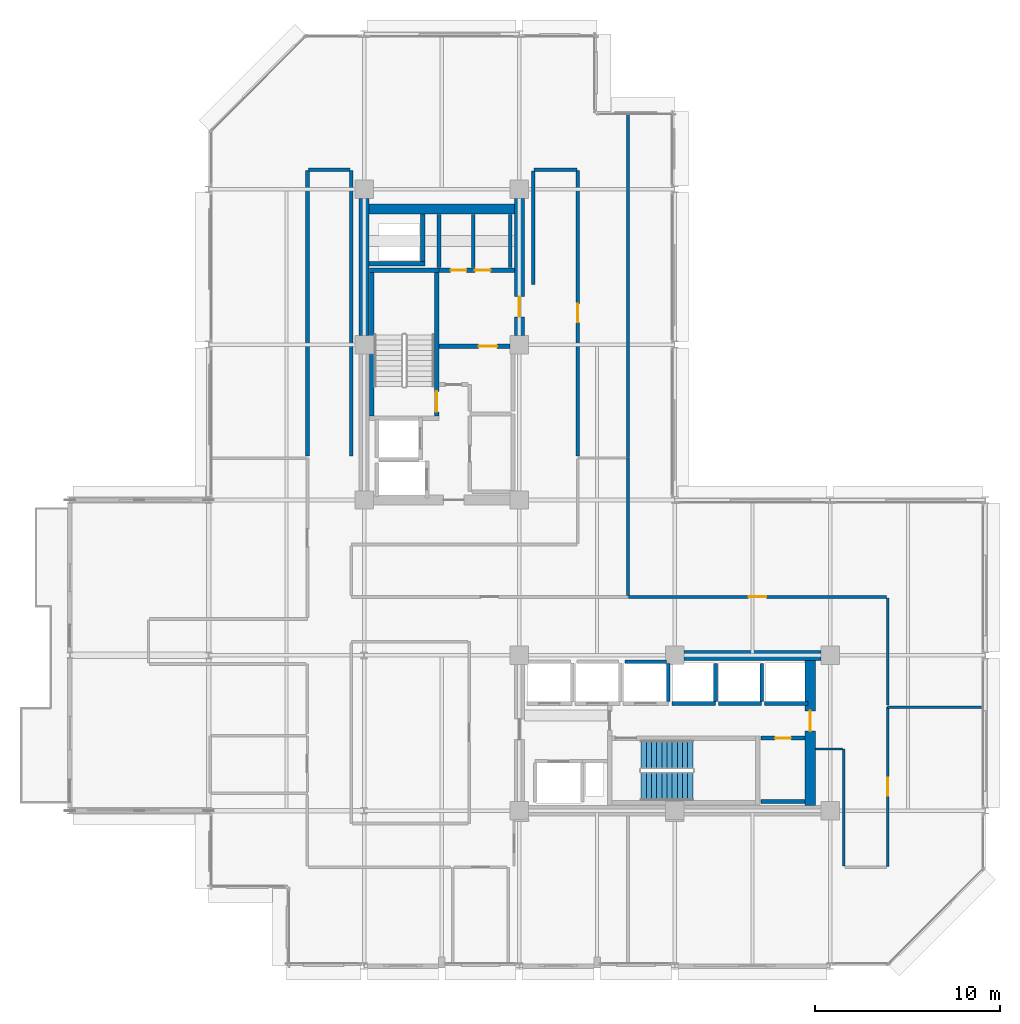
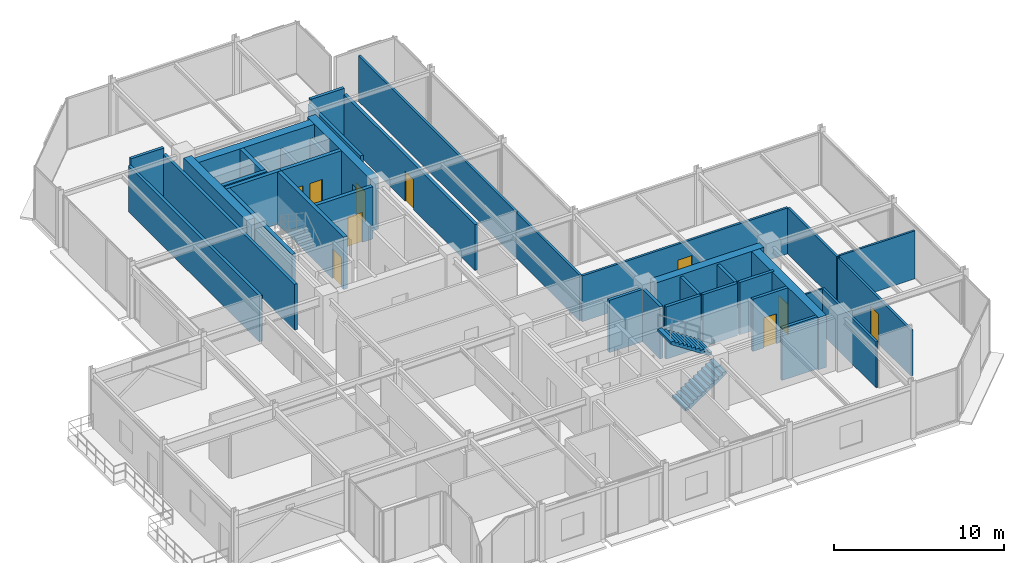
# One storey, part 26 of 30: 38 walls, 10 doors, 2 stair flights, 10 openings, 1 element without a shape of its own.
"""IFC4 building model written with IfcOpenShell, lengths in metres."""

from ifc_helpers import new_model, si_unit, direction, frame, frame_2d, origin, place, context, subcontext, project, spatial, polyline, rectangle, outline, extrude, material, layer, layer_set, type_object, element, fill, aggregate, save


model = new_model("IFC4")

# Units and contexts
model_context = context("Model", 3, precision=1e-05, world=origin(), true_north=direction((0.0, 1.0)))
body_context = subcontext(model_context, "Body", "Model", "MODEL_VIEW")
ifc_project = project(units=[si_unit("LENGTHUNIT", "METRE"), si_unit("AREAUNIT", "SQUARE_METRE"), si_unit("VOLUMEUNIT", "CUBIC_METRE"), si_unit("PLANEANGLEUNIT", "RADIAN"), si_unit("MASSUNIT", "GRAM", prefix="KILO")], contexts=[model_context])

# Site, building, storey
site_placement = place(None, origin())
site = spatial("IfcSite", under=ifc_project, at=site_placement, CompositionType="ELEMENT")
building_placement = place(site_placement, origin())
building = spatial("IfcBuilding", under=site, at=building_placement, Name="Nerrivon Quay Data Exchange", CompositionType="ELEMENT")
storey_placement = place(building_placement, frame((0.0, 0.0, 216.5)))
storey = spatial("IfcBuildingStorey", under=building, at=storey_placement, Name="L51", CompositionType="ELEMENT", Elevation=216.5)

# Walls
ifc_material_1 = material(Name="Concrete S65 (65 MPa)", Category="concrete")
ifc_layer_1 = layer(ifc_material_1, 0.550048828125)
ifc_layer_set_1 = layer_set([ifc_layer_1], Name="Concrete S65 (65 MPa)")
wall_type_1 = type_object("IfcWallType", Name="WALL-CW-700", PredefinedType="SHEAR", material=ifc_layer_set_1)
wall_1_placement = place(storey_placement, frame((8.39990234375, 34.10009765625, 0.0), z_axis=(0.0, 0.0, 1.0), x_axis=(0.0, 1.0, 0.0)))
element("IfcWall", 1, at=wall_1_placement, inside=storey, type_object=wall_type_1, Name="L51 West Split-Core Shear Wall WCW-W2", PredefinedType="SHEAR", context=body_context, shape_type="SweptSolid", body=[
    extrude(rectangle(XDim=7.39990234375, YDim=0.550048828125, at=frame_2d((3.699951171875, 0.0))), origin(), (0.0, 0.0, 1.0), 3.75),
])
wall_2_placement = place(storey_placement, frame((8.675048828125, 40.925048828125, 0.0), z_axis=(0.0, 0.0, 1.0), x_axis=(1.0, 0.0, 0.0)))
element("IfcWall", 2, at=wall_2_placement, inside=storey, type_object=wall_type_1, Name="L51 West Split-Core Shear Wall WCW-N1", PredefinedType="SHEAR", context=body_context, shape_type="SweptSolid", body=[
    extrude(rectangle(XDim=7.849853515625, YDim=0.550048828125, at=frame_2d((3.9248046875, 0.0))), origin(), (0.0, 0.0, 1.0), 3.75),
])

# Wall, opening, door
wall_3_placement = place(storey_placement, frame((16.800048828125, 34.10009765625, 0.0), z_axis=(0.0, 0.0, 1.0), x_axis=(0.0, 1.0, 0.0)))
wall_3 = element("IfcWall", 3, at=wall_3_placement, inside=storey, type_object=wall_type_1, Name="L51 West Split-Core Shear Wall WCW-E1", PredefinedType="SHEAR", context=body_context, shape_type="SweptSolid", body=[
    extrude(rectangle(XDim=7.39990234375, YDim=0.550048828125, at=frame_2d((3.699951171875, 0.0))), origin(), (0.0, 0.0, 1.0), 3.75),
])
opening_1_placement = place(wall_3_placement, frame((1.0, 0.0, 0.0)))
opening_1 = element("IfcOpeningElement", 4, at=opening_1_placement, cuts=wall_3, Name="Opening FD-120", PredefinedType="OPENING", context=body_context, shape_type="SweptSolid", body=[
    extrude(rectangle(XDim=1.10009765625, YDim=2.14990234375, at=frame_2d((0.550048828125, 1.074951171875))), frame((0.0, 0.284912109375, 0.0), z_axis=(0.0, -1.0, 0.0), x_axis=(1.0, 0.0, 0.0)), (0.0, 0.0, 1.0), 0.570068359375),
])
ifc_material_2 = material(Name="Powder-coated galvanized steel sheet", Category="steel")
door_type_1 = type_object("IfcDoorType", Name="DR-FD120-1100", OperationType="NOTDEFINED", PredefinedType="DOOR", material=ifc_material_2)
door_1_placement = place(opening_1_placement, origin())
door_1 = element("IfcDoor", 5, at=door_1_placement, inside=storey, type_object=door_type_1, Name="L51 West Core Lobby Fire Door", OperationType="SINGLE_SWING_LEFT", OverallHeight=2.14990234375, OverallWidth=1.10009765625, PredefinedType="DOOR", context=body_context, shape_type="SweptSolid", body=[
    extrude(rectangle(XDim=1.10009765625, YDim=2.14990234375, at=frame_2d((0.550048828125, 1.074951171875))), frame((0.0, 0.02490234375, 0.0), z_axis=(0.0, -1.0, 0.0), x_axis=(1.0, 0.0, 0.0)), (0.0, 0.0, 1.0), 0.050048828125),
])
fill(opening_1, door_1)

wall_4_placement = place(storey_placement, frame((32.52490234375, 8.675048828125, 0.0), z_axis=(0.0, 0.0, 1.0), x_axis=(0.0, 1.0, 0.0)))
wall_4 = element("IfcWall", 6, at=wall_4_placement, inside=storey, type_object=wall_type_1, Name="L51 East Split-Core Shear Wall ECW-E1", PredefinedType="SHEAR", context=body_context, shape_type="SweptSolid", body=[
    extrude(rectangle(XDim=7.849853515625, YDim=0.550048828125, at=frame_2d((3.9248046875, 0.0))), origin(), (0.0, 0.0, 1.0), 3.75),
])
opening_2_placement = place(wall_4_placement, frame((4.02490234375, 0.0, 0.0)))
opening_2 = element("IfcOpeningElement", 7, at=opening_2_placement, cuts=wall_4, Name="Opening FD-120", PredefinedType="OPENING", context=body_context, shape_type="SweptSolid", body=[
    extrude(rectangle(XDim=1.10009765625, YDim=2.14990234375, at=frame_2d((0.550048828125, 1.074951171875))), frame((0.0, 0.284912109375, 0.0), z_axis=(0.0, -1.0, 0.0), x_axis=(1.0, 0.0, 0.0)), (0.0, 0.0, 1.0), 0.570068359375),
])
door_2_placement = place(opening_2_placement, origin())
door_2 = element("IfcDoor", 8, at=door_2_placement, inside=storey, type_object=door_type_1, Name="L51 East Core Lobby Fire Door", OperationType="SINGLE_SWING_LEFT", OverallHeight=2.14990234375, OverallWidth=1.10009765625, PredefinedType="DOOR", context=body_context, shape_type="SweptSolid", body=[
    extrude(rectangle(XDim=1.10009765625, YDim=2.14990234375, at=frame_2d((0.550048828125, 1.074951171875))), frame((0.0, 0.02490234375, 0.0), z_axis=(0.0, -1.0, 0.0), x_axis=(1.0, 0.0, 0.0)), (0.0, 0.0, 1.0), 0.050048828125),
])
fill(opening_2, door_2)

# Walls
wall_5_placement = place(storey_placement, frame((25.699951171875, 16.800048828125, 0.0), z_axis=(0.0, 0.0, 1.0), x_axis=(1.0, 0.0, 0.0)))
element("IfcWall", 9, at=wall_5_placement, inside=storey, type_object=wall_type_1, Name="L51 East Split-Core Shear Wall ECW-N1", PredefinedType="SHEAR", context=body_context, shape_type="SweptSolid", body=[
    extrude(rectangle(XDim=7.400146484375, YDim=0.550048828125, at=frame_2d((3.7001953125, 0.0))), origin(), (0.0, 0.0, 1.0), 3.75),
])
ifc_material_3 = material(Name="Gypsum plasterboard on cold-formed framing", Category="gypsum")
ifc_layer_2 = layer(ifc_material_3, 0.199951171875)
ifc_layer_set_2 = layer_set([ifc_layer_2], Name="Gypsum plasterboard on cold-formed framing")
wall_type_2 = type_object("IfcWallType", Name="WALL-FW-200", PredefinedType="PARTITIONING", material=ifc_layer_set_2)
wall_6_placement = place(storey_placement, frame((24.85009765625, 14.300048828125, 0.0), z_axis=(0.0, 0.0, 1.0), x_axis=(0.0, 1.0, 0.0)))
element("IfcWall", 10, at=wall_6_placement, inside=storey, type_object=wall_type_2, Name="L51 Lift Shaft Wall PL6 EAST", PredefinedType="PARTITIONING", context=body_context, shape_type="SweptSolid", body=[
    extrude(rectangle(XDim=2.050048828125, YDim=0.199951171875, at=frame_2d((1.02490234375, 0.0))), origin(), (0.0, 0.0, 1.0), 3.75),
])
wall_7_placement = place(storey_placement, frame((22.5, 16.449951171875, 0.0), z_axis=(0.0, 0.0, 1.0), x_axis=(1.0, 0.0, 0.0)))
element("IfcWall", 11, at=wall_7_placement, inside=storey, type_object=wall_type_2, Name="L51 Lift Shaft Wall PL6 NORTH", PredefinedType="PARTITIONING", context=body_context, shape_type="SweptSolid", body=[
    extrude(rectangle(XDim=2.25, YDim=0.199951171875, at=frame_2d((1.125, 0.0))), origin(), (0.0, 0.0, 1.0), 3.75),
])
wall_8_placement = place(storey_placement, frame((25.050048828125, 14.199951171875, 0.0), z_axis=(0.0, 0.0, 1.0), x_axis=(1.0, 0.0, 0.0)))
element("IfcWall", 12, at=wall_8_placement, inside=storey, type_object=wall_type_2, Name="L51 Lift Front Wall PL7", PredefinedType="PARTITIONING", context=body_context, shape_type="SweptSolid", body=[
    extrude(rectangle(XDim=2.349853515625, YDim=0.199951171875, at=frame_2d((1.1748046875, 0.0))), origin(), (0.0, 0.0, 1.0), 3.75),
])
wall_9_placement = place(storey_placement, frame((27.39990234375, 14.300048828125, 0.0), z_axis=(0.0, 0.0, 1.0), x_axis=(0.0, 1.0, 0.0)))
element("IfcWall", 13, at=wall_9_placement, inside=storey, type_object=wall_type_2, Name="L51 Lift Shaft Wall PL7 EAST", PredefinedType="PARTITIONING", context=body_context, shape_type="SweptSolid", body=[
    extrude(rectangle(XDim=2.050048828125, YDim=0.199951171875, at=frame_2d((1.02490234375, 0.0))), origin(), (0.0, 0.0, 1.0), 3.75),
])
wall_10_placement = place(storey_placement, frame((27.550048828125, 14.199951171875, 0.0), z_axis=(0.0, 0.0, 1.0), x_axis=(1.0, 0.0, 0.0)))
element("IfcWall", 14, at=wall_10_placement, inside=storey, type_object=wall_type_2, Name="L51 Lift Front Wall PL8", PredefinedType="PARTITIONING", context=body_context, shape_type="SweptSolid", body=[
    extrude(rectangle(XDim=2.349853515625, YDim=0.199951171875, at=frame_2d((1.1748046875, 0.0))), origin(), (0.0, 0.0, 1.0), 3.75),
])
wall_11_placement = place(storey_placement, frame((29.89990234375, 14.300048828125, 0.0), z_axis=(0.0, 0.0, 1.0), x_axis=(0.0, 1.0, 0.0)))
element("IfcWall", 15, at=wall_11_placement, inside=storey, type_object=wall_type_2, Name="L51 Lift Shaft Wall PL8 EAST", PredefinedType="PARTITIONING", context=body_context, shape_type="SweptSolid", body=[
    extrude(rectangle(XDim=2.050048828125, YDim=0.199951171875, at=frame_2d((1.02490234375, 0.0))), origin(), (0.0, 0.0, 1.0), 3.75),
])
wall_12_placement = place(storey_placement, frame((30.050048828125, 14.199951171875, 0.0), z_axis=(0.0, 0.0, 1.0), x_axis=(1.0, 0.0, 0.0)))
element("IfcWall", 16, at=wall_12_placement, inside=storey, type_object=wall_type_2, Name="L51 Lift Front Wall PL9", PredefinedType="PARTITIONING", context=body_context, shape_type="SweptSolid", body=[
    extrude(rectangle(XDim=2.349853515625, YDim=0.199951171875, at=frame_2d((1.1748046875, 0.0))), origin(), (0.0, 0.0, 1.0), 3.75),
])
for number, where, z_axis, x_axis, name in (
    (17, (14.300048828125, 37.780029296875, 0.0), (0.0, 0.0, 1.0), (0.0, 1.0, 0.0), "L51 Partition Cleaners Store"),
    (18, (12.449951171875, 40.64599609375, 0.0), (0.0, 0.0, 1.0), (0.0, -1.0, 0.0), "L51 Partition Cleaners Store"),
    (19, (16.300048828125, 37.780029296875, 0.0), (0.0, 0.0, 1.0), (0.0, 1.0, 0.0), "L51 Partition Janitor Closet"),
):
    element("IfcWall", number, at=place(storey_placement, frame(where, z_axis=z_axis, x_axis=x_axis)), inside=storey, type_object=wall_type_2, Name=name, PredefinedType="PARTITIONING", context=body_context, shape_type="SweptSolid", body=[
        extrude(rectangle(XDim=2.865966796875, YDim=0.199951171875, at=frame_2d((1.43310546875, 0.0))), origin(), (0.0, 0.0, 1.0), 2.800048828125),
    ])

# Wall, opening, door
wall_13_placement = place(storey_placement, frame((32.24609375, 12.330078125, 0.0), z_axis=(0.0, 0.0, 1.0), x_axis=(-1.0, 0.0, 0.0)))
wall_13 = element("IfcWall", 20, at=wall_13_placement, inside=storey, type_object=wall_type_2, Name="L51 Partition East Supply Store", PredefinedType="PARTITIONING", context=body_context, shape_type="SweptSolid", body=[
    extrude(rectangle(XDim=2.39599609375, YDim=0.199951171875, at=frame_2d((1.197998046875, 0.0))), origin(), (0.0, 0.0, 1.0), 3.75),
])
opening_3_placement = place(wall_13_placement, frame((0.77294921875, 0.0, 0.0)))
opening_3 = element("IfcOpeningElement", 21, at=opening_3_placement, cuts=wall_13, Name="Opening FD-60S", PredefinedType="OPENING", context=body_context, shape_type="SweptSolid", body=[
    extrude(rectangle(XDim=0.85009765625, YDim=2.14990234375, at=frame_2d((0.425048828125, 1.074951171875))), frame((0.0, 0.10986328125, 0.0), z_axis=(0.0, -1.0, 0.0), x_axis=(1.0, 0.0, 0.0)), (0.0, 0.0, 1.0), 0.219970703125),
])
ifc_material_4 = material(Name="Engineered hardwood timber", Category="wood")
door_type_2 = type_object("IfcDoorType", Name="DR-FD60-850", OperationType="NOTDEFINED", PredefinedType="DOOR", material=ifc_material_4)
door_3_placement = place(opening_3_placement, origin())
door_3 = element("IfcDoor", 22, at=door_3_placement, inside=storey, type_object=door_type_2, Name="L51 Door East Supply Store", OperationType="SINGLE_SWING_LEFT", OverallHeight=2.14990234375, OverallWidth=0.85009765625, PredefinedType="DOOR", context=body_context, shape_type="SweptSolid", body=[
    extrude(rectangle(XDim=0.85009765625, YDim=2.14990234375, at=frame_2d((0.425048828125, 1.074951171875))), frame((0.0, 0.02490234375, 0.0), z_axis=(0.0, -1.0, 0.0), x_axis=(1.0, 0.0, 0.0)), (0.0, 0.0, 1.0), 0.050048828125),
])
fill(opening_3, door_3)

# Walls
wall_14_placement = place(storey_placement, frame((29.85009765625, 8.89990234375, 0.0), z_axis=(0.0, 0.0, 1.0), x_axis=(1.0, 0.0, 0.0)))
element("IfcWall", 23, at=wall_14_placement, inside=storey, type_object=wall_type_2, Name="L51 Partition East Supply Store", PredefinedType="PARTITIONING", context=body_context, shape_type="SweptSolid", body=[
    extrude(rectangle(XDim=2.39599609375, YDim=0.199951171875, at=frame_2d((1.197998046875, 0.0))), origin(), (0.0, 0.0, 1.0), 3.75),
])
wall_15_placement = place(storey_placement, frame((5.340087890625, 27.589111328125, 0.0), z_axis=(0.0, 0.0, 1.0), x_axis=(0.0, 1.0, 0.0)))
element("IfcWall", 24, at=wall_15_placement, inside=storey, type_object=wall_type_2, Name="L51 Partition Colocation Data Workspace 1", PredefinedType="PARTITIONING", context=body_context, shape_type="SweptSolid", body=[
    extrude(rectangle(XDim=15.410888671875, YDim=0.199951171875, at=frame_2d((7.70556640625, 0.0))), origin(), (0.0, 0.0, 1.0), 3.2900390625),
])
wall_16_placement = place(storey_placement, frame((5.39990234375, 43.06005859375, 0.0), z_axis=(0.0, 0.0, 1.0), x_axis=(1.0, 0.0, 0.0)))
element("IfcWall", 25, at=wall_16_placement, inside=storey, type_object=wall_type_2, Name="L51 Partition Colocation Data Workspace 1", PredefinedType="PARTITIONING", context=body_context, shape_type="SweptSolid", body=[
    extrude(rectangle(XDim=2.25, YDim=0.199951171875, at=frame_2d((1.125, 0.0))), origin(), (0.0, 0.0, 1.0), 3.75),
])
wall_17_placement = place(storey_placement, frame((7.709716796875, 43.005859375, 0.0), z_axis=(0.0, 0.0, 1.0), x_axis=(1.5836065e-05, -0.999999999875, 0.0)))
element("IfcWall", 26, at=wall_17_placement, inside=storey, type_object=wall_type_2, Name="L51 Partition Colocation Data Workspace 1", PredefinedType="PARTITIONING", context=body_context, shape_type="SweptSolid", body=[
    extrude(rectangle(XDim=15.416748046875, YDim=0.199951171875, at=frame_2d((7.70849609375, 0.0))), origin(), (0.0, 0.0, 1.0), 3.2900390625),
])
wall_18_placement = place(storey_placement, frame((17.5400390625, 36.860107421875, 0.0), z_axis=(0.0, 0.0, 1.0), x_axis=(0.0, 1.0, 0.0)))
element("IfcWall", 27, at=wall_18_placement, inside=storey, type_object=wall_type_2, Name="L51 Partition Colocation Data Workspace 1", PredefinedType="PARTITIONING", context=body_context, shape_type="SweptSolid", body=[
    extrude(rectangle(XDim=6.139892578125, YDim=0.199951171875, at=frame_2d((3.06982421875, 0.0))), origin(), (0.0, 0.0, 1.0), 3.449951171875),
])
wall_19_placement = place(storey_placement, frame((17.60009765625, 43.06005859375, 0.0), z_axis=(0.0, 0.0, 1.0), x_axis=(1.0, 0.0, 0.0)))
element("IfcWall", 28, at=wall_19_placement, inside=storey, type_object=wall_type_2, Name="L51 Partition Colocation Data Workspace 1", PredefinedType="PARTITIONING", context=body_context, shape_type="SweptSolid", body=[
    extrude(rectangle(XDim=2.2998046875, YDim=0.199951171875, at=frame_2d((1.14990234375, 0.0))), origin(), (0.0, 0.0, 1.0), 3.75),
])

# Wall, opening, door
wall_20_placement = place(storey_placement, frame((19.959716796875, 43.005859375, 0.0), z_axis=(0.0, 0.0, 1.0), x_axis=(1.5836065e-05, -0.999999999875, 0.0)))
wall_20 = element("IfcWall", 29, at=wall_20_placement, inside=storey, type_object=wall_type_2, Name="L51 Partition Colocation Data Workspace 1", PredefinedType="PARTITIONING", context=body_context, shape_type="SweptSolid", body=[
    extrude(rectangle(XDim=15.416748046875, YDim=0.199951171875, at=frame_2d((7.70849609375, 0.0))), origin(), (0.0, 0.0, 1.0), 3.2900390625),
])
opening_4_placement = place(wall_20_placement, frame((7.20849609375, 0.0, 0.0)))
opening_4 = element("IfcOpeningElement", 30, at=opening_4_placement, cuts=wall_20, Name="Opening FD-60", PredefinedType="OPENING", context=body_context, shape_type="SweptSolid", body=[
    extrude(rectangle(XDim=1.0, YDim=2.14990234375, at=frame_2d((0.5, 1.074951171875))), frame((0.0, 0.10986328125, 0.0), z_axis=(0.0, -1.0, 0.0), x_axis=(1.0, 0.0, 0.0)), (0.0, 0.0, 1.0), 0.219970703125),
])
door_type_3 = type_object("IfcDoorType", Name="DR-FD60-1000", OperationType="NOTDEFINED", PredefinedType="DOOR", material=ifc_material_4)
door_4_placement = place(opening_4_placement, origin())
door_4 = element("IfcDoor", 31, at=door_4_placement, inside=storey, type_object=door_type_3, Name="L51 Door Colocation Data Workspace 1", OperationType="SINGLE_SWING_RIGHT", OverallHeight=2.14990234375, OverallWidth=1.0, PredefinedType="DOOR", context=body_context, shape_type="SweptSolid", body=[
    extrude(rectangle(XDim=1.0, YDim=2.14990234375, at=frame_2d((0.5, 1.074951171875))), frame((0.0, 0.02490234375, 0.0), z_axis=(0.0, -1.0, 0.0), x_axis=(1.0, 0.0, 0.0)), (0.0, 0.0, 1.0), 0.050048828125),
])
fill(opening_4, door_4)

# Walls
ifc_layer_3 = layer(ifc_material_3, 0.1201171875)
ifc_layer_set_3 = layer_set([ifc_layer_3], Name="Gypsum plasterboard on cold-formed framing")
wall_type_3 = type_object("IfcWallType", Name="WALL-PT-120", PredefinedType="PARTITIONING", material=ifc_layer_set_3)
wall_21_placement = place(storey_placement, frame((34.260986328125, 11.739990234375, 0.0), z_axis=(0.0, 0.0, 1.0), x_axis=(-1.0, 0.0, 0.0)))
element("IfcWall", 32, at=wall_21_placement, inside=storey, type_object=wall_type_3, Name="L51 Partition Quiet Reading Room", PredefinedType="PARTITIONING", context=body_context, shape_type="SweptSolid", body=[
    extrude(rectangle(XDim=1.45703125, YDim=0.1201171875, at=frame_2d((0.728515625, 0.0))), origin(), (0.0, 0.0, 1.0), 3.2958984375),
])
ifc_layer_4 = layer(ifc_material_3, 0.135009765625)
ifc_layer_set_4 = layer_set([ifc_layer_4], Name="Gypsum plasterboard on cold-formed framing")
wall_type_4 = type_object("IfcWallType", Name="WALL-PT-135", PredefinedType="PARTITIONING", material=ifc_layer_set_4)
wall_22_placement = place(storey_placement, frame((41.8310546875, 14.000244140625, 0.0), z_axis=(0.0, 0.0, 1.0), x_axis=(-1.0, 0.0, 0.0)))
element("IfcWall", 33, at=wall_22_placement, inside=storey, type_object=wall_type_4, Name="L51 Partition Quiet Reading Room", PredefinedType="PARTITIONING", context=body_context, shape_type="SweptSolid", body=[
    extrude(rectangle(XDim=5.12109375, YDim=0.135009765625, at=frame_2d((2.560546875, 0.0))), origin(), (0.0, 0.0, 1.0), 3.443115234375),
])
ifc_layer_5 = layer(ifc_material_3, 0.14990234375)
ifc_layer_set_5 = layer_set([ifc_layer_5], Name="Gypsum plasterboard on cold-formed framing")
wall_type_5 = type_object("IfcWallType", Name="WALL-PT-150", PredefinedType="PARTITIONING", material=ifc_layer_set_5)
wall_23_placement = place(storey_placement, frame((22.673095703125, 20.0390625, 0.0), z_axis=(0.0, 0.0, 1.0), x_axis=(0.0, 1.0, 0.0)))
element("IfcWall", 34, at=wall_23_placement, inside=storey, type_object=wall_type_5, Name="L51 Partition Network Security Control", PredefinedType="PARTITIONING", context=body_context, shape_type="SweptSolid", body=[
    extrude(rectangle(XDim=7.43017578125, YDim=0.14990234375, at=frame_2d((3.715087890625, 0.0))), origin(), (0.0, 0.0, 1.0), 3.2900390625),
])

# Wall, opening, door
wall_24_placement = place(storey_placement, frame((36.7099609375, 14.000244140625, 0.0), z_axis=(0.0, 0.0, 1.0), x_axis=(-2.836799e-05, -0.999999999598, 0.0)))
wall_24 = element("IfcWall", 35, at=wall_24_placement, inside=storey, type_object=wall_type_5, Name="L51 Partition Quiet Reading Room", PredefinedType="PARTITIONING", context=body_context, shape_type="SweptSolid", body=[
    extrude(rectangle(XDim=8.606201171875, YDim=0.14990234375, at=frame_2d((4.30322265625, 0.0))), origin(), (0.0, 0.0, 1.0), 3.2900390625),
])
opening_5_placement = place(wall_24_placement, frame((3.828125, 0.0, 0.0)))
opening_5 = element("IfcOpeningElement", 36, at=opening_5_placement, cuts=wall_24, Name="Opening D-01", PredefinedType="OPENING", context=body_context, shape_type="SweptSolid", body=[
    extrude(rectangle(XDim=0.949951171875, YDim=2.14990234375, at=frame_2d((0.47509765625, 1.074951171875))), frame((0.0, 0.0849609375, 0.0), z_axis=(0.0, -1.0, 0.0), x_axis=(1.0, 0.0, 0.0)), (0.0, 0.0, 1.0), 0.169921875),
])
door_type_4 = type_object("IfcDoorType", Name="DR-INT-950", OperationType="NOTDEFINED", PredefinedType="DOOR", material=ifc_material_4)
door_5_placement = place(opening_5_placement, origin())
door_5 = element("IfcDoor", 37, at=door_5_placement, inside=storey, type_object=door_type_4, Name="L51 Door Quiet Reading Room", OperationType="SINGLE_SWING_LEFT", OverallHeight=2.14990234375, OverallWidth=0.949951171875, PredefinedType="DOOR", context=body_context, shape_type="SweptSolid", body=[
    extrude(rectangle(XDim=0.949951171875, YDim=2.14990234375, at=frame_2d((0.47509765625, 1.074951171875))), frame((0.0, 0.02490234375, 0.0), z_axis=(0.0, -1.0, 0.0), x_axis=(1.0, 0.0, 0.0)), (0.0, 0.0, 1.0), 0.050048828125),
])
fill(opening_5, door_5)

# Walls
wall_25_placement = place(storey_placement, frame((34.340087890625, 5.39990234375, 0.0), z_axis=(0.0, 0.0, 1.0), x_axis=(0.0, 1.0, 0.0)))
element("IfcWall", 38, at=wall_25_placement, inside=storey, type_object=wall_type_5, Name="L51 Partition Quiet Reading Room", PredefinedType="PARTITIONING", context=body_context, shape_type="SweptSolid", body=[
    extrude(rectangle(XDim=6.340087890625, YDim=0.14990234375, at=frame_2d((3.169921875, 0.0))), origin(), (0.0, 0.0, 1.0), 3.2900390625),
])
wall_26_placement = place(storey_placement, frame((22.673095703125, 46.031005859375, 0.0), z_axis=(0.0, 0.0, 1.0), x_axis=(0.0, -1.0, 0.0)))
element("IfcWall", 39, at=wall_26_placement, inside=storey, type_object=wall_type_5, Name="L51 Partition Staff Bistro", PredefinedType="PARTITIONING", context=body_context, shape_type="SweptSolid", body=[
    extrude(rectangle(XDim=18.541748046875, YDim=0.14990234375, at=frame_2d((9.27099609375, 0.0))), origin(), (0.0, 0.0, 1.0), 3.2900390625),
])

# Wall, opening, door
wall_27_placement = place(storey_placement, frame((22.693115234375, 19.9599609375, 0.0), z_axis=(0.0, 0.0, 1.0), x_axis=(1.0, 0.0, 0.0)))
wall_27 = element("IfcWall", 40, at=wall_27_placement, inside=storey, type_object=wall_type_5, Name="L51 Partition Staff Bistro", PredefinedType="PARTITIONING", context=body_context, shape_type="SweptSolid", body=[
    extrude(rectangle(XDim=13.956787109375, YDim=0.14990234375, at=frame_2d((6.978515625, 0.0))), origin(), (0.0, 0.0, 1.0), 3.2958984375),
])
opening_6_placement = place(wall_27_placement, frame((6.50341796875, 0.0, 0.0)))
opening_6 = element("IfcOpeningElement", 41, at=opening_6_placement, cuts=wall_27, Name="Opening D-01", PredefinedType="OPENING", context=body_context, shape_type="SweptSolid", body=[
    extrude(rectangle(XDim=0.949951171875, YDim=2.14990234375, at=frame_2d((0.47509765625, 1.074951171875))), frame((0.0, 0.0849609375, 0.0), z_axis=(0.0, -1.0, 0.0), x_axis=(1.0, 0.0, 0.0)), (0.0, 0.0, 1.0), 0.169921875),
])
door_6_placement = place(opening_6_placement, origin())
door_6 = element("IfcDoor", 42, at=door_6_placement, inside=storey, type_object=door_type_4, Name="L51 Door Staff Bistro", OperationType="SINGLE_SWING_RIGHT", OverallHeight=2.14990234375, OverallWidth=0.949951171875, PredefinedType="DOOR", context=body_context, shape_type="SweptSolid", body=[
    extrude(rectangle(XDim=0.949951171875, YDim=2.14990234375, at=frame_2d((0.47509765625, 1.074951171875))), frame((0.0, 0.02490234375, 0.0), z_axis=(0.0, -1.0, 0.0), x_axis=(1.0, 0.0, 0.0)), (0.0, 0.0, 1.0), 0.050048828125),
])
fill(opening_6, door_6)

# Walls
wall_28_placement = place(storey_placement, frame((36.7099609375, 19.89990234375, 0.0), z_axis=(0.0, 0.0, 1.0), x_axis=(0.0, -1.0, 0.0)))
element("IfcWall", 43, at=wall_28_placement, inside=storey, type_object=wall_type_5, Name="L51 Partition Staff Bistro", PredefinedType="PARTITIONING", context=body_context, shape_type="SweptSolid", body=[
    extrude(rectangle(XDim=5.77978515625, YDim=0.14990234375, at=frame_2d((2.889892578125, 0.0))), origin(), (0.0, 0.0, 1.0), 3.2900390625),
])
ifc_material_5 = material(Name="Concrete N50 (50 MPa)", Category="concrete")
ifc_layer_6 = layer(ifc_material_5, 0.25)
ifc_layer_set_6 = layer_set([ifc_layer_6], Name="Concrete N50 (50 MPa)")
wall_type_6 = type_object("IfcWallType", Name="WALL-SW-250", PredefinedType="SHEAR", material=ifc_layer_set_6)
wall_29_placement = place(storey_placement, frame((12.449951171875, 37.625, 0.0), z_axis=(0.0, 0.0, 1.0), x_axis=(-1.0, 0.0, 0.0)))
element("IfcWall", 44, at=wall_29_placement, inside=storey, type_object=wall_type_6, Name="L51 ST01 Structural Stair Core Wall FAR", PredefinedType="SHEAR", context=body_context, shape_type="SweptSolid", body=[
    extrude(rectangle(XDim=3.75, YDim=0.25, at=frame_2d((1.875, 0.0))), origin(), (0.0, 0.0, 1.0), 3.75),
])

# Wall, opening, door
wall_30_placement = place(storey_placement, frame((12.324951171875, 29.75, 0.0), z_axis=(0.0, 0.0, 1.0), x_axis=(0.0, 1.0, 0.0)))
wall_30 = element("IfcWall", 45, at=wall_30_placement, inside=storey, type_object=wall_type_6, Name="L51 ST01 Structural Stair Core Wall LEFT", PredefinedType="SHEAR", context=body_context, shape_type="SweptSolid", body=[
    extrude(rectangle(XDim=7.75, YDim=0.25, at=frame_2d((3.875, 0.0))), origin(), (0.0, 0.0, 1.0), 3.75),
])
opening_7_placement = place(wall_30_placement, frame((0.219970703125, 0.0, 0.0)))
opening_7 = element("IfcOpeningElement", 46, at=opening_7_placement, cuts=wall_30, Name="Opening FD-120", PredefinedType="OPENING", context=body_context, shape_type="SweptSolid", body=[
    extrude(rectangle(XDim=1.10009765625, YDim=2.14990234375, at=frame_2d((0.550048828125, 1.074951171875))), frame((0.0, 0.135009765625, 0.0), z_axis=(0.0, -1.0, 0.0), x_axis=(1.0, 0.0, 0.0)), (0.0, 0.0, 1.0), 0.27001953125),
])
door_7_placement = place(opening_7_placement, origin())
door_7 = element("IfcDoor", 47, at=door_7_placement, inside=storey, type_object=door_type_1, Name="L51 Protected Stair Door ST01", OperationType="SINGLE_SWING_LEFT", OverallHeight=2.14990234375, OverallWidth=1.10009765625, PredefinedType="DOOR", context=body_context, shape_type="SweptSolid", body=[
    extrude(rectangle(XDim=1.10009765625, YDim=2.14990234375, at=frame_2d((0.550048828125, 1.074951171875))), frame((0.0, 0.02490234375, 0.0), z_axis=(0.0, -1.0, 0.0), x_axis=(1.0, 0.0, 0.0)), (0.0, 0.0, 1.0), 0.050048828125),
])
fill(opening_7, door_7)

# Walls
wall_31_placement = place(storey_placement, frame((8.824951171875, 29.75, 0.0), z_axis=(0.0, 0.0, 1.0), x_axis=(0.0, 1.0, 0.0)))
element("IfcWall", 48, at=wall_31_placement, inside=storey, type_object=wall_type_6, Name="L51 ST01 Structural Stair Core Wall RIGHT", PredefinedType="SHEAR", context=body_context, shape_type="SweptSolid", body=[
    extrude(rectangle(XDim=7.75, YDim=0.25, at=frame_2d((3.875, 0.0))), origin(), (0.0, 0.0, 1.0), 3.75),
])
wall_32_placement = place(storey_placement, frame((8.675048828125, 37.97509765625, 0.0), z_axis=(0.0, 0.0, 1.0), x_axis=(1.0, 0.0, 0.0)))
element("IfcWall", 49, at=wall_32_placement, inside=storey, type_object=wall_type_6, Name="L51 West Core MEP Riser Shaft Wall S", PredefinedType="SHEAR", context=body_context, shape_type="SweptSolid", body=[
    extrude(rectangle(XDim=3.02490234375, YDim=0.25, at=frame_2d((1.512451171875, 0.0))), origin(), (0.0, 0.0, 1.0), 3.75),
])
wall_33_placement = place(storey_placement, frame((11.574951171875, 38.10009765625, 0.0), z_axis=(0.0, 0.0, 1.0), x_axis=(0.0, 1.0, 0.0)))
element("IfcWall", 50, at=wall_33_placement, inside=storey, type_object=wall_type_6, Name="L51 West Core MEP Riser Shaft Wall E", PredefinedType="SHEAR", context=body_context, shape_type="SweptSolid", body=[
    extrude(rectangle(XDim=2.5498046875, YDim=0.25, at=frame_2d((1.27490234375, 0.0))), origin(), (0.0, 0.0, 1.0), 3.75),
])

# Wall, opening, door
wall_34_placement = place(storey_placement, frame((12.449951171875, 33.52001953125, 0.0), z_axis=(0.0, 0.0, 1.0), x_axis=(1.0, 0.0, 0.0)))
wall_34 = element("IfcWall", 51, at=wall_34_placement, inside=storey, type_object=wall_type_6, Name="L51 West Lobby Smoke-Stop Wall", PredefinedType="SHEAR", context=body_context, shape_type="SweptSolid", body=[
    extrude(rectangle(XDim=3.85009765625, YDim=0.25, at=frame_2d((1.925048828125, 0.0))), origin(), (0.0, 0.0, 1.0), 3.75),
])
opening_8_placement = place(wall_34_placement, frame((2.14990234375, 0.0, 0.0)))
opening_8 = element("IfcOpeningElement", 52, at=opening_8_placement, cuts=wall_34, Name="Opening FD-60", PredefinedType="OPENING", context=body_context, shape_type="SweptSolid", body=[
    extrude(rectangle(XDim=1.0, YDim=2.14990234375, at=frame_2d((0.5, 1.074951171875))), frame((0.0, 0.135009765625, 0.0), z_axis=(0.0, -1.0, 0.0), x_axis=(1.0, 0.0, 0.0)), (0.0, 0.0, 1.0), 0.27001953125),
])
door_8_placement = place(opening_8_placement, origin())
door_8 = element("IfcDoor", 53, at=door_8_placement, inside=storey, type_object=door_type_3, Name="L51 West Firefighting Lobby Fire Door", OperationType="SINGLE_SWING_LEFT", OverallHeight=2.14990234375, OverallWidth=1.0, PredefinedType="DOOR", context=body_context, shape_type="SweptSolid", body=[
    extrude(rectangle(XDim=1.0, YDim=2.14990234375, at=frame_2d((0.5, 1.074951171875))), frame((0.0, 0.02490234375, 0.0), z_axis=(0.0, -1.0, 0.0), x_axis=(1.0, 0.0, 0.0)), (0.0, 0.0, 1.0), 0.050048828125),
])
fill(opening_8, door_8)

# Wall, openings, doors
wall_35_placement = place(storey_placement, frame((12.449951171875, 37.625, 0.0), z_axis=(0.0, 0.0, 1.0), x_axis=(1.0, 0.0, 0.0)))
wall_35 = element("IfcWall", 54, at=wall_35_placement, inside=storey, type_object=wall_type_6, Name="L51 West Firefighting Lobby Wall", PredefinedType="SHEAR", context=body_context, shape_type="SweptSolid", body=[
    extrude(rectangle(XDim=4.074951171875, YDim=0.25, at=frame_2d((2.03759765625, 0.0))), origin(), (0.0, 0.0, 1.0), 3.75),
])
opening_9_placement = place(wall_35_placement, frame((0.634521484375, 0.0, 0.0)))
opening_9 = element("IfcOpeningElement", 55, at=opening_9_placement, cuts=wall_35, Name="Opening FD-60S", PredefinedType="OPENING", context=body_context, shape_type="SweptSolid", body=[
    extrude(rectangle(XDim=0.85009765625, YDim=2.14990234375, at=frame_2d((0.425048828125, 1.074951171875))), frame((0.0, 0.135009765625, 0.0), z_axis=(0.0, -1.0, 0.0), x_axis=(1.0, 0.0, 0.0)), (0.0, 0.0, 1.0), 0.27001953125),
])
opening_10_placement = place(wall_35_placement, frame((1.9384765625, 0.0, 0.0)))
opening_10 = element("IfcOpeningElement", 56, at=opening_10_placement, cuts=wall_35, Name="Opening FD-60S", PredefinedType="OPENING", context=body_context, shape_type="SweptSolid", body=[
    extrude(rectangle(XDim=0.85009765625, YDim=2.14990234375, at=frame_2d((0.425048828125, 1.074951171875))), frame((0.0, 0.135009765625, 0.0), z_axis=(0.0, -1.0, 0.0), x_axis=(1.0, 0.0, 0.0)), (0.0, 0.0, 1.0), 0.27001953125),
])
door_9_placement = place(opening_9_placement, origin())
door_9 = element("IfcDoor", 57, at=door_9_placement, inside=storey, type_object=door_type_2, Name="L51 Door Cleaners Store", OperationType="SINGLE_SWING_LEFT", OverallHeight=2.14990234375, OverallWidth=0.85009765625, PredefinedType="DOOR", context=body_context, shape_type="SweptSolid", body=[
    extrude(rectangle(XDim=0.85009765625, YDim=2.14990234375, at=frame_2d((0.425048828125, 1.074951171875))), frame((0.0, 0.02490234375, 0.0), z_axis=(0.0, -1.0, 0.0), x_axis=(1.0, 0.0, 0.0)), (0.0, 0.0, 1.0), 0.050048828125),
])
fill(opening_9, door_9)
door_10_placement = place(opening_10_placement, origin())
door_10 = element("IfcDoor", 58, at=door_10_placement, inside=storey, type_object=door_type_2, Name="L51 Door Janitor Closet", OperationType="SINGLE_SWING_RIGHT", OverallHeight=2.14990234375, OverallWidth=0.85009765625, PredefinedType="DOOR", context=body_context, shape_type="SweptSolid", body=[
    extrude(rectangle(XDim=0.85009765625, YDim=2.14990234375, at=frame_2d((0.425048828125, 1.074951171875))), frame((0.0, 0.02490234375, 0.0), z_axis=(0.0, -1.0, 0.0), x_axis=(1.0, 0.0, 0.0)), (0.0, 0.0, 1.0), 0.050048828125),
])
fill(opening_10, door_10)

# Stair, stair flights
stair_type = type_object("IfcStairType", Name="STAIR-DOG-41", PredefinedType="HALF_TURN_STAIR", material=ifc_material_5)
stair_placement = place(storey_placement, origin())
stair = element("IfcStair", 59, at=stair_placement, inside=storey, type_object=stair_type, Name="L51 East Core Fire Stair ST02", PredefinedType="HALF_TURN_STAIR")
stair_flight_type = type_object("IfcStairFlightType", Name="FLIGHT-DOG-41", PredefinedType="STRAIGHT", material=ifc_material_5)
stair_flight_1_placement = place(storey_placement, frame((23.3798828125, 9.72509765625, 0.0), z_axis=(0.0, 0.0, 1.0), x_axis=(1.0, 0.0, 0.0)))
stair_flight_1 = element("IfcStairFlight", 60, at=stair_flight_1_placement, type_object=stair_flight_type, Name="ST02 flight 1", NumberOfRisers=11, NumberOfTreads=10, PredefinedType="STRAIGHT", RiserHeight=0.186363636, TreadLength=0.28, context=body_context, shape_type="SweptSolid", body=[
    extrude(outline(polyline([(0.0, 0.0), (0.0, 0.186279296875), (0.280029296875, 0.186279296875), (0.280029296875, 0.372802734375), (0.56005859375, 0.372802734375), (0.56005859375, 0.55908203125), (0.840087890625, 0.55908203125), (0.840087890625, 0.745361328125), (1.1201171875, 0.745361328125), (1.1201171875, 0.931884765625), (1.39990234375, 0.931884765625), (1.39990234375, 1.1181640625), (1.679931640625, 1.1181640625), (1.679931640625, 1.304443359375), (1.9599609375, 1.304443359375), (1.9599609375, 1.490966796875), (2.239990234375, 1.490966796875), (2.239990234375, 1.67724609375), (2.52001953125, 1.67724609375), (2.52001953125, 1.863525390625), (2.800048828125, 1.863525390625), (2.800048828125, 2.050048828125), (2.800048828125, 1.68359375), (0.2705078125, 0.0), (0.0, 0.0)])), frame((0.0, 0.77490234375, 0.0), z_axis=(0.0, -1.0, 0.0), x_axis=(1.0, 0.0, 0.0)), (0.0, 0.0, 1.0), 1.550048828125),
])
stair_flight_2_placement = place(storey_placement, frame((26.179931640625, 11.425048828125, 2.050048828125), z_axis=(0.0, 0.0, 1.0), x_axis=(-1.0, 0.0, 0.0)))
stair_flight_2 = element("IfcStairFlight", 61, at=stair_flight_2_placement, type_object=stair_flight_type, Name="ST02 flight 2", NumberOfRisers=11, NumberOfTreads=10, PredefinedType="STRAIGHT", RiserHeight=0.186363636, TreadLength=0.28, context=body_context, shape_type="SweptSolid", body=[
    extrude(outline(polyline([(0.0, 0.0), (0.0, 0.186279296875), (0.280029296875, 0.186279296875), (0.280029296875, 0.372802734375), (0.56005859375, 0.372802734375), (0.56005859375, 0.55908203125), (0.840087890625, 0.55908203125), (0.840087890625, 0.745361328125), (1.1201171875, 0.745361328125), (1.1201171875, 0.931884765625), (1.39990234375, 0.931884765625), (1.39990234375, 1.1181640625), (1.679931640625, 1.1181640625), (1.679931640625, 1.304443359375), (1.9599609375, 1.304443359375), (1.9599609375, 1.490966796875), (2.239990234375, 1.490966796875), (2.239990234375, 1.67724609375), (2.52001953125, 1.67724609375), (2.52001953125, 1.863525390625), (2.800048828125, 1.863525390625), (2.800048828125, 2.050048828125), (2.800048828125, 1.68359375), (0.2705078125, 0.0), (0.0, 0.0)])), frame((0.0, 0.77490234375, 0.0), z_axis=(0.0, -1.0, 0.0), x_axis=(1.0, 0.0, 0.0)), (0.0, 0.0, 1.0), 1.550048828125),
])
aggregate(stair, [stair_flight_1, stair_flight_2])

save(model, "model.ifc")
